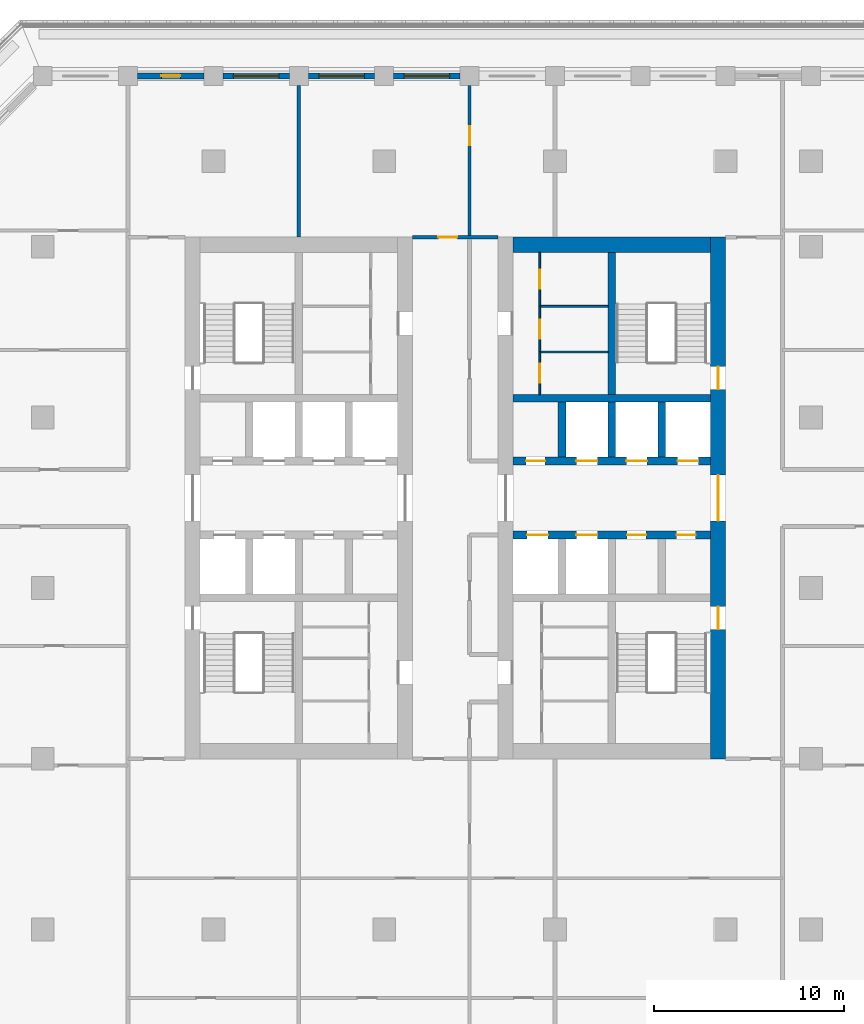
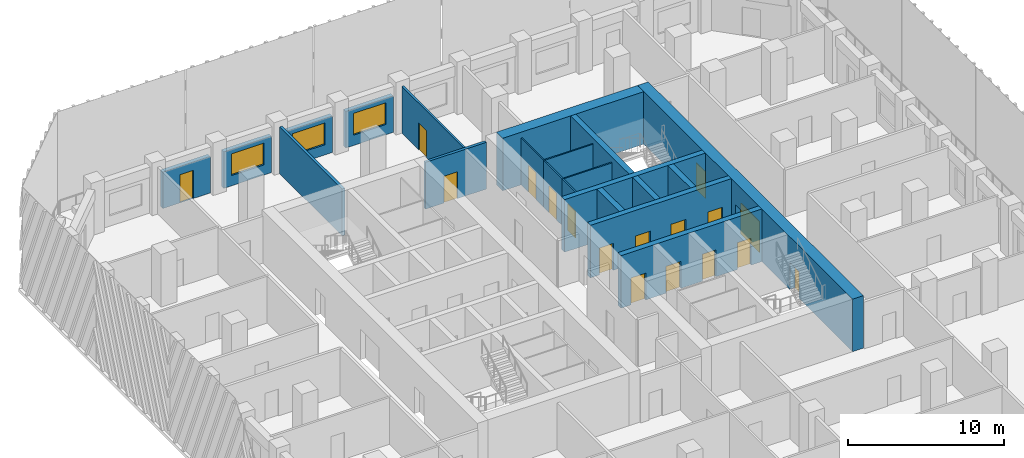
# One storey, part 7 of 17: 21 walls, 17 doors, 3 windows, 20 openings.
"""IFC4 building model written with IfcOpenShell, lengths in metres."""

from ifc_helpers import new_model, si_unit, direction, frame, frame_2d, origin, place, context, subcontext, project, spatial, rectangle, extrude, material, layer, layer_set, type_object, element, fill, save


model = new_model("IFC4")

# Units and contexts
model_context = context("Model", 3, precision=1e-05, world=origin(), true_north=direction((0.0, 1.0)))
body_context = subcontext(model_context, "Body", "Model", "MODEL_VIEW")
ifc_project = project(units=[si_unit("LENGTHUNIT", "METRE"), si_unit("AREAUNIT", "SQUARE_METRE"), si_unit("VOLUMEUNIT", "CUBIC_METRE"), si_unit("PLANEANGLEUNIT", "RADIAN"), si_unit("MASSUNIT", "GRAM", prefix="KILO")], contexts=[model_context])

# Site, building, storey
site_placement = place(None, origin())
site = spatial("IfcSite", under=ifc_project, at=site_placement, CompositionType="ELEMENT")
building_placement = place(site_placement, origin())
building = spatial("IfcBuilding", under=site, at=building_placement, Name="Corbel Stack Research Tower", CompositionType="ELEMENT")
storey_placement = place(building_placement, frame((0.0, 0.0, 207.89990234375)))
storey = spatial("IfcBuildingStorey", under=building, at=storey_placement, Name="L47", CompositionType="ELEMENT", Elevation=207.89990234375)

# Wall, openings, doors
ifc_material_1 = material(Name="Concrete C60/75", Category="concrete")
ifc_layer_1 = layer(ifc_material_1, 0.39990234375)
ifc_layer_set_1 = layer_set([ifc_layer_1], Name="Concrete C60/75")
wall_type_1 = type_object("IfcWallType", Name="CW-400-60", PredefinedType="SHEAR", material=ifc_layer_set_1)
wall_1_placement = place(storey_placement, frame((6.800048828125, 2.800048828125, 0.0), z_axis=(0.0, 0.0, 1.0), x_axis=(1.0, 0.0, 0.0)))
wall_1 = element("IfcWall", 1, at=wall_1_placement, inside=storey, type_object=wall_type_1, Name="East core wall, lobby south L47", PredefinedType="SHEAR", context=body_context, shape_type="SweptSolid", body=[
    extrude(rectangle(XDim=10.39990234375, YDim=0.39990234375, at=frame_2d((5.199951171875, 0.0))), origin(), (0.0, 0.0, 1.0), 4.10009765625),
])
opening_1_placement = place(wall_1_placement, frame((0.737548828125, 0.0, 0.0)))
opening_1 = element("IfcOpeningElement", 2, at=opening_1_placement, cuts=wall_1, Name="Opening LD-FS2", PredefinedType="OPENING", context=body_context, shape_type="SweptSolid", body=[
    extrude(rectangle(XDim=1.10009765625, YDim=2.10009765625, at=frame_2d((0.550048828125, 1.050048828125))), frame((0.0, 0.2099609375, 0.0), z_axis=(0.0, -1.0, 0.0), x_axis=(1.0, 0.0, 0.0)), (0.0, 0.0, 1.0), 0.419921875),
])
opening_2_placement = place(wall_1_placement, frame((3.33740234375, 0.0, 0.0)))
opening_2 = element("IfcOpeningElement", 3, at=opening_2_placement, cuts=wall_1, Name="Opening LD-GL2", PredefinedType="OPENING", context=body_context, shape_type="SweptSolid", body=[
    extrude(rectangle(XDim=1.10009765625, YDim=2.10009765625, at=frame_2d((0.550048828125, 1.050048828125))), frame((0.0, 0.2099609375, 0.0), z_axis=(0.0, -1.0, 0.0), x_axis=(1.0, 0.0, 0.0)), (0.0, 0.0, 1.0), 0.419921875),
])
opening_3_placement = place(wall_1_placement, frame((6.012451171875, 0.0, 0.0)))
opening_3 = element("IfcOpeningElement", 4, at=opening_3_placement, cuts=wall_1, Name="Opening CR-E42-S3", PredefinedType="OPENING", context=body_context, shape_type="SweptSolid", body=[
    extrude(rectangle(XDim=1.0, YDim=2.10009765625, at=frame_2d((0.5, 1.050048828125))), frame((0.0, 0.2099609375, 0.0), z_axis=(0.0, -1.0, 0.0), x_axis=(1.0, 0.0, 0.0)), (0.0, 0.0, 1.0), 0.419921875),
])
opening_4_placement = place(wall_1_placement, frame((8.612548828125, 0.0, 0.0)))
opening_4 = element("IfcOpeningElement", 5, at=opening_4_placement, cuts=wall_1, Name="Opening CR-E42-S4", PredefinedType="OPENING", context=body_context, shape_type="SweptSolid", body=[
    extrude(rectangle(XDim=1.0, YDim=2.10009765625, at=frame_2d((0.5, 1.050048828125))), frame((0.0, 0.2099609375, 0.0), z_axis=(0.0, -1.0, 0.0), x_axis=(1.0, 0.0, 0.0)), (0.0, 0.0, 1.0), 0.419921875),
])
ifc_material_2 = material(Name="Stainless steel landing door", Category="steel")
door_type_1 = type_object("IfcDoorType", Name="Lift landing door 1100 x 2100", OperationType="DOUBLE_DOOR_SLIDING", PredefinedType="DOOR", material=ifc_material_2)
door_1_placement = place(opening_1_placement, origin())
door_1 = element("IfcDoor", 6, at=door_1_placement, inside=storey, type_object=door_type_1, Name="Landing door FS2", OperationType="DOUBLE_DOOR_SLIDING", OverallHeight=2.10009765625, OverallWidth=1.10009765625, PredefinedType="DOOR", context=body_context, shape_type="SweptSolid", body=[
    extrude(rectangle(XDim=1.10009765625, YDim=2.10009765625, at=frame_2d((0.550048828125, 1.050048828125))), frame((0.0, 0.02490234375, 0.0), z_axis=(0.0, -1.0, 0.0), x_axis=(1.0, 0.0, 0.0)), (0.0, 0.0, 1.0), 0.050048828125),
])
fill(opening_1, door_1)
door_2_placement = place(opening_2_placement, origin())
door_2 = element("IfcDoor", 7, at=door_2_placement, inside=storey, type_object=door_type_1, Name="Landing door GL2", OperationType="DOUBLE_DOOR_SLIDING", OverallHeight=2.10009765625, OverallWidth=1.10009765625, PredefinedType="DOOR", context=body_context, shape_type="SweptSolid", body=[
    extrude(rectangle(XDim=1.10009765625, YDim=2.10009765625, at=frame_2d((0.550048828125, 1.050048828125))), frame((0.0, 0.02490234375, 0.0), z_axis=(0.0, -1.0, 0.0), x_axis=(1.0, 0.0, 0.0)), (0.0, 0.0, 1.0), 0.050048828125),
])
fill(opening_2, door_2)
ifc_material_3 = material(Name="Painted steel door", Category="steel")
door_type_2 = type_object("IfcDoorType", Name="Service door 1000 x 2100 FD60 left hand", OperationType="SINGLE_SWING_LEFT", PredefinedType="DOOR", material=ifc_material_3)
door_3_placement = place(opening_3_placement, origin())
door_3 = element("IfcDoor", 8, at=door_3_placement, inside=storey, type_object=door_type_2, Name="Electrical room door E core", OperationType="SINGLE_SWING_LEFT", OverallHeight=2.10009765625, OverallWidth=1.0, PredefinedType="DOOR", context=body_context, shape_type="SweptSolid", body=[
    extrude(rectangle(XDim=1.0, YDim=2.10009765625, at=frame_2d((0.5, 1.050048828125))), frame((0.0, 0.02490234375, 0.0), z_axis=(0.0, -1.0, 0.0), x_axis=(1.0, 0.0, 0.0)), (0.0, 0.0, 1.0), 0.050048828125),
])
fill(opening_3, door_3)
ifc_material_4 = material(Name="Painted steel door", Category="steel")
door_type_3 = type_object("IfcDoorType", Name="Service door 1000 x 2100 FD60 right hand", OperationType="SINGLE_SWING_RIGHT", PredefinedType="DOOR", material=ifc_material_4)
door_4_placement = place(opening_4_placement, origin())
door_4 = element("IfcDoor", 9, at=door_4_placement, inside=storey, type_object=door_type_3, Name="Pantry door E core", OperationType="SINGLE_SWING_RIGHT", OverallHeight=2.10009765625, OverallWidth=1.0, PredefinedType="DOOR", context=body_context, shape_type="SweptSolid", body=[
    extrude(rectangle(XDim=1.0, YDim=2.10009765625, at=frame_2d((0.5, 1.050048828125))), frame((0.0, 0.02490234375, 0.0), z_axis=(0.0, -1.0, 0.0), x_axis=(1.0, 0.0, 0.0)), (0.0, 0.0, 1.0), 0.050048828125),
])
fill(opening_4, door_4)

wall_2_placement = place(storey_placement, frame((6.800048828125, 6.699951171875, 0.0), z_axis=(0.0, 0.0, 1.0), x_axis=(1.0, 0.0, 0.0)))
wall_2 = element("IfcWall", 10, at=wall_2_placement, inside=storey, type_object=wall_type_1, Name="East core wall, lobby north L47", PredefinedType="SHEAR", context=body_context, shape_type="SweptSolid", body=[
    extrude(rectangle(XDim=10.39990234375, YDim=0.39990234375, at=frame_2d((5.199951171875, 0.0))), origin(), (0.0, 0.0, 1.0), 4.10009765625),
])
opening_5_placement = place(wall_2_placement, frame((3.33740234375, 0.0, 0.0)))
opening_5 = element("IfcOpeningElement", 11, at=opening_5_placement, cuts=wall_2, Name="Opening LD-HR4", PredefinedType="OPENING", context=body_context, shape_type="SweptSolid", body=[
    extrude(rectangle(XDim=1.10009765625, YDim=2.10009765625, at=frame_2d((0.550048828125, 1.050048828125))), frame((0.0, 0.2099609375, 0.0), z_axis=(0.0, -1.0, 0.0), x_axis=(1.0, 0.0, 0.0)), (0.0, 0.0, 1.0), 0.419921875),
])
opening_6_placement = place(wall_2_placement, frame((5.96240234375, 0.0, 0.0)))
opening_6 = element("IfcOpeningElement", 12, at=opening_6_placement, cuts=wall_2, Name="Opening LD-HR5", PredefinedType="OPENING", context=body_context, shape_type="SweptSolid", body=[
    extrude(rectangle(XDim=1.10009765625, YDim=2.10009765625, at=frame_2d((0.550048828125, 1.050048828125))), frame((0.0, 0.2099609375, 0.0), z_axis=(0.0, -1.0, 0.0), x_axis=(1.0, 0.0, 0.0)), (0.0, 0.0, 1.0), 0.419921875),
])
opening_7_placement = place(wall_2_placement, frame((8.66259765625, 0.0, 0.0)))
opening_7 = element("IfcOpeningElement", 13, at=opening_7_placement, cuts=wall_2, Name="Opening LD-HR6", PredefinedType="OPENING", context=body_context, shape_type="SweptSolid", body=[
    extrude(rectangle(XDim=1.10009765625, YDim=2.10009765625, at=frame_2d((0.550048828125, 1.050048828125))), frame((0.0, 0.2099609375, 0.0), z_axis=(0.0, -1.0, 0.0), x_axis=(1.0, 0.0, 0.0)), (0.0, 0.0, 1.0), 0.419921875),
])
opening_8_placement = place(wall_2_placement, frame((0.6875, 0.0, 0.0)))
opening_8 = element("IfcOpeningElement", 14, at=opening_8_placement, cuts=wall_2, Name="Opening CR-E42-N1", PredefinedType="OPENING", context=body_context, shape_type="SweptSolid", body=[
    extrude(rectangle(XDim=1.0, YDim=2.10009765625, at=frame_2d((0.5, 1.050048828125))), frame((0.0, 0.2099609375, 0.0), z_axis=(0.0, -1.0, 0.0), x_axis=(1.0, 0.0, 0.0)), (0.0, 0.0, 1.0), 0.419921875),
])
door_5_placement = place(opening_5_placement, origin())
door_5 = element("IfcDoor", 15, at=door_5_placement, inside=storey, type_object=door_type_1, Name="Landing door HR4", OperationType="DOUBLE_DOOR_SLIDING", OverallHeight=2.10009765625, OverallWidth=1.10009765625, PredefinedType="DOOR", context=body_context, shape_type="SweptSolid", body=[
    extrude(rectangle(XDim=1.10009765625, YDim=2.10009765625, at=frame_2d((0.550048828125, 1.050048828125))), frame((0.0, 0.02490234375, 0.0), z_axis=(0.0, -1.0, 0.0), x_axis=(1.0, 0.0, 0.0)), (0.0, 0.0, 1.0), 0.050048828125),
])
fill(opening_5, door_5)
door_6_placement = place(opening_6_placement, origin())
door_6 = element("IfcDoor", 16, at=door_6_placement, inside=storey, type_object=door_type_1, Name="Landing door HR5", OperationType="DOUBLE_DOOR_SLIDING", OverallHeight=2.10009765625, OverallWidth=1.10009765625, PredefinedType="DOOR", context=body_context, shape_type="SweptSolid", body=[
    extrude(rectangle(XDim=1.10009765625, YDim=2.10009765625, at=frame_2d((0.550048828125, 1.050048828125))), frame((0.0, 0.02490234375, 0.0), z_axis=(0.0, -1.0, 0.0), x_axis=(1.0, 0.0, 0.0)), (0.0, 0.0, 1.0), 0.050048828125),
])
fill(opening_6, door_6)
door_7_placement = place(opening_7_placement, origin())
door_7 = element("IfcDoor", 17, at=door_7_placement, inside=storey, type_object=door_type_1, Name="Landing door HR6", OperationType="DOUBLE_DOOR_SLIDING", OverallHeight=2.10009765625, OverallWidth=1.10009765625, PredefinedType="DOOR", context=body_context, shape_type="SweptSolid", body=[
    extrude(rectangle(XDim=1.10009765625, YDim=2.10009765625, at=frame_2d((0.550048828125, 1.050048828125))), frame((0.0, 0.02490234375, 0.0), z_axis=(0.0, -1.0, 0.0), x_axis=(1.0, 0.0, 0.0)), (0.0, 0.0, 1.0), 0.050048828125),
])
fill(opening_7, door_7)
door_8_placement = place(opening_8_placement, origin())
door_8 = element("IfcDoor", 18, at=door_8_placement, inside=storey, type_object=door_type_2, Name="Staff WC door E core", OperationType="SINGLE_SWING_LEFT", OverallHeight=2.10009765625, OverallWidth=1.0, PredefinedType="DOOR", context=body_context, shape_type="SweptSolid", body=[
    extrude(rectangle(XDim=1.0, YDim=2.10009765625, at=frame_2d((0.5, 1.050048828125))), frame((0.0, 0.02490234375, 0.0), z_axis=(0.0, -1.0, 0.0), x_axis=(1.0, 0.0, 0.0)), (0.0, 0.0, 1.0), 0.050048828125),
])
fill(opening_8, door_8)

# Walls
wall_3_placement = place(storey_placement, frame((6.800048828125, 10.0, 0.0), z_axis=(0.0, 0.0, 1.0), x_axis=(1.0, 0.0, 0.0)))
element("IfcWall", 19, at=wall_3_placement, inside=storey, type_object=wall_type_1, Name="East core wall, north row back L47", PredefinedType="SHEAR", context=body_context, shape_type="SweptSolid", body=[
    extrude(rectangle(XDim=10.39990234375, YDim=0.39990234375, at=frame_2d((5.199951171875, 0.0))), origin(), (0.0, 0.0, 1.0), 4.10009765625),
])
for number, where, z_axis, x_axis, name in (
    (20, (9.375, 6.89990234375, 0.0), (0.0, 0.0, 1.0), (0.0, 1.0, 0.0), "East core wall, north shaft 1 L47"),
    (21, (12.0, 6.89990234375, 0.0), (0.0, 0.0, 1.0), (0.0, 1.0, 0.0), "East core wall, north shaft 2 L47"),
    (22, (14.625, 6.89990234375, 0.0), (0.0, 0.0, 1.0), (0.0, 1.0, 0.0), "East core wall, north shaft 3 L47"),
):
    element("IfcWall", number, at=place(storey_placement, frame(where, z_axis=z_axis, x_axis=x_axis)), inside=storey, type_object=wall_type_1, Name=name, PredefinedType="SHEAR", context=body_context, shape_type="SweptSolid", body=[
        extrude(rectangle(XDim=2.900146484375, YDim=0.39990234375, at=frame_2d((1.4501953125, 0.0))), origin(), (0.0, 0.0, 1.0), 4.10009765625),
    ])
wall_4_placement = place(storey_placement, frame((12.0, 10.199951171875, 0.0), z_axis=(0.0, 0.0, 1.0), x_axis=(0.0, 1.0, 0.0)))
element("IfcWall", 23, at=wall_4_placement, inside=storey, type_object=wall_type_1, Name="East core wall, north stair and riser L47", PredefinedType="SHEAR", context=body_context, shape_type="SweptSolid", body=[
    extrude(rectangle(XDim=7.5, YDim=0.39990234375, at=frame_2d((3.75, 0.0))), origin(), (0.0, 0.0, 1.0), 4.10009765625),
])

# Wall, openings, doors
ifc_material_5 = material(Name="Concrete C60/75", Category="concrete")
ifc_layer_2 = layer(ifc_material_5, 0.800048828125)
ifc_layer_set_2 = layer_set([ifc_layer_2], Name="Concrete C60/75")
wall_type_2 = type_object("IfcWallType", Name="CW-800-60", PredefinedType="SHEAR", material=ifc_layer_set_2)
wall_5_placement = place(storey_placement, frame((17.60009765625, -9.0, 0.0), z_axis=(0.0, 0.0, 1.0), x_axis=(0.0, 1.0, 0.0)))
wall_5 = element("IfcWall", 24, at=wall_5_placement, inside=storey, type_object=wall_type_2, Name="East core wall, east face L47", PredefinedType="SHEAR", context=body_context, shape_type="SweptSolid", body=[
    extrude(rectangle(XDim=27.5, YDim=0.800048828125, at=frame_2d((13.75, 0.0))), origin(), (0.0, 0.0, 1.0), 4.10009765625),
])
opening_9_placement = place(wall_5_placement, frame((12.550048828125, 0.0, 0.0)))
opening_9 = element("IfcOpeningElement", 25, at=opening_9_placement, cuts=wall_5, Name="Opening CD-E-E", PredefinedType="OPENING", context=body_context, shape_type="SweptSolid", body=[
    extrude(rectangle(XDim=2.39990234375, YDim=2.39990234375, at=frame_2d((1.199951171875, 1.199951171875))), frame((0.0, 0.409912109375, 0.0), z_axis=(0.0, -1.0, 0.0), x_axis=(1.0, 0.0, 0.0)), (0.0, 0.0, 1.0), 0.820068359375),
])
opening_10_placement = place(wall_5_placement, frame((6.824951171875, 0.0, 0.0)))
opening_10 = element("IfcOpeningElement", 26, at=opening_10_placement, cuts=wall_5, Name="Opening SD-ST-E1", PredefinedType="OPENING", context=body_context, shape_type="SweptSolid", body=[
    extrude(rectangle(XDim=1.199951171875, YDim=2.10009765625, at=frame_2d((0.60009765625, 1.050048828125))), frame((0.0, 0.409912109375, 0.0), z_axis=(0.0, -1.0, 0.0), x_axis=(1.0, 0.0, 0.0)), (0.0, 0.0, 1.0), 0.820068359375),
])
opening_11_placement = place(wall_5_placement, frame((19.47509765625, 0.0, 0.0)))
opening_11 = element("IfcOpeningElement", 27, at=opening_11_placement, cuts=wall_5, Name="Opening SD-ST-E2", PredefinedType="OPENING", context=body_context, shape_type="SweptSolid", body=[
    extrude(rectangle(XDim=1.199951171875, YDim=2.10009765625, at=frame_2d((0.60009765625, 1.050048828125))), frame((0.0, 0.409912109375, 0.0), z_axis=(0.0, -1.0, 0.0), x_axis=(1.0, 0.0, 0.0)), (0.0, 0.0, 1.0), 0.820068359375),
])
ifc_material_6 = material(Name="Painted steel fire door", Category="steel")
door_type_4 = type_object("IfcDoorType", Name="Lobby door pair 2400 x 2400 FD30S", OperationType="DOUBLE_DOOR_DOUBLE_SWING", PredefinedType="DOOR", material=ifc_material_6)
door_9_placement = place(opening_9_placement, origin())
door_9 = element("IfcDoor", 28, at=door_9_placement, inside=storey, type_object=door_type_4, Name="Lift lobby door E core E", OperationType="DOUBLE_DOOR_DOUBLE_SWING", OverallHeight=2.39990234375, OverallWidth=2.39990234375, PredefinedType="DOOR", context=body_context, shape_type="SweptSolid", body=[
    extrude(rectangle(XDim=2.39990234375, YDim=2.39990234375, at=frame_2d((1.199951171875, 1.199951171875))), frame((0.0, 0.02490234375, 0.0), z_axis=(0.0, -1.0, 0.0), x_axis=(1.0, 0.0, 0.0)), (0.0, 0.0, 1.0), 0.050048828125),
])
fill(opening_9, door_9)
ifc_material_7 = material(Name="Painted steel fire door", Category="steel")
door_type_5 = type_object("IfcDoorType", Name="Stair door 1200 x 2100 FD90 right hand", OperationType="SINGLE_SWING_RIGHT", PredefinedType="DOOR", material=ifc_material_7)
door_10_placement = place(opening_10_placement, frame((1.199951171875, 0.0, 0.0), z_axis=(0.0, 0.0, 1.0), x_axis=(-1.0, 0.0, 0.0)))
door_10 = element("IfcDoor", 29, at=door_10_placement, inside=storey, type_object=door_type_5, Name="Stair door ST-E1", OperationType="SINGLE_SWING_LEFT", OverallHeight=2.10009765625, OverallWidth=1.199951171875, PredefinedType="DOOR", context=body_context, shape_type="SweptSolid", body=[
    extrude(rectangle(XDim=1.199951171875, YDim=2.10009765625, at=frame_2d((0.60009765625, 1.050048828125))), frame((0.0, 0.02490234375, 0.0), z_axis=(0.0, -1.0, 0.0), x_axis=(1.0, 0.0, 0.0)), (0.0, 0.0, 1.0), 0.050048828125),
])
fill(opening_10, door_10)
door_11_placement = place(opening_11_placement, frame((1.199951171875, 0.0, 0.0), z_axis=(0.0, 0.0, 1.0), x_axis=(-1.0, 0.0, 0.0)))
door_11 = element("IfcDoor", 30, at=door_11_placement, inside=storey, type_object=door_type_5, Name="Stair door ST-E2", OperationType="SINGLE_SWING_LEFT", OverallHeight=2.10009765625, OverallWidth=1.199951171875, PredefinedType="DOOR", context=body_context, shape_type="SweptSolid", body=[
    extrude(rectangle(XDim=1.199951171875, YDim=2.10009765625, at=frame_2d((0.60009765625, 1.050048828125))), frame((0.0, 0.02490234375, 0.0), z_axis=(0.0, -1.0, 0.0), x_axis=(1.0, 0.0, 0.0)), (0.0, 0.0, 1.0), 0.050048828125),
])
fill(opening_11, door_11)

# Wall
wall_6_placement = place(storey_placement, frame((6.800048828125, 18.10009765625, 0.0), z_axis=(0.0, 0.0, 1.0), x_axis=(1.0, 0.0, 0.0)))
element("IfcWall", 31, at=wall_6_placement, inside=storey, type_object=wall_type_2, Name="East core wall, north end L47", PredefinedType="SHEAR", context=body_context, shape_type="SweptSolid", body=[
    extrude(rectangle(XDim=10.39990234375, YDim=0.800048828125, at=frame_2d((5.199951171875, 0.0))), origin(), (0.0, 0.0, 1.0), 4.10009765625),
])

# Wall, opening, door
ifc_material_8 = material(Name="Gypsum board")
ifc_layer_3 = layer(ifc_material_8, 0.10009765625)
ifc_layer_set_3 = layer_set([ifc_layer_3], Name="Gypsum board")
wall_type_3 = type_object("IfcWallType", Name="Core partition 100", PredefinedType="PARTITIONING", material=ifc_layer_set_3)
wall_7_placement = place(storey_placement, frame((8.199951171875, 10.199951171875, 0.0), z_axis=(0.0, 0.0, 1.0), x_axis=(0.0, 1.0, 0.0)))
wall_7 = element("IfcWall", 32, at=wall_7_placement, inside=storey, type_object=wall_type_3, Name="Core partition E", PredefinedType="PARTITIONING", context=body_context, shape_type="SweptSolid", body=[
    extrude(rectangle(XDim=2.25, YDim=0.10009765625, at=frame_2d((1.125, 0.0))), origin(), (0.0, 0.0, 1.0), 3.650146484375),
])
opening_12_placement = place(wall_7_placement, frame((0.625, 0.0, 0.0)))
opening_12 = element("IfcOpeningElement", 33, at=opening_12_placement, cuts=wall_7, Name="Opening CR-E42-R2-1000", PredefinedType="OPENING", context=body_context, shape_type="SweptSolid", body=[
    extrude(rectangle(XDim=1.0, YDim=2.10009765625, at=frame_2d((0.5, 1.050048828125))), frame((0.0, 0.06005859375, 0.0), z_axis=(0.0, -1.0, 0.0), x_axis=(1.0, 0.0, 0.0)), (0.0, 0.0, 1.0), 0.1201171875),
])
ifc_material_9 = material(Name="Painted steel door", Category="steel")
door_type_6 = type_object("IfcDoorType", Name="Riser door 1000 x 2100 FD60 left hand", OperationType="SINGLE_SWING_LEFT", PredefinedType="DOOR", material=ifc_material_9)
door_12_placement = place(opening_12_placement, origin())
door_12 = element("IfcDoor", 34, at=door_12_placement, inside=storey, type_object=door_type_6, Name="Mechanical riser door E core", OperationType="SINGLE_SWING_LEFT", OverallHeight=2.10009765625, OverallWidth=1.0, PredefinedType="DOOR", context=body_context, shape_type="SweptSolid", body=[
    extrude(rectangle(XDim=1.0, YDim=2.10009765625, at=frame_2d((0.5, 1.050048828125))), frame((0.0, 0.02490234375, 0.0), z_axis=(0.0, -1.0, 0.0), x_axis=(1.0, 0.0, 0.0)), (0.0, 0.0, 1.0), 0.050048828125),
])
fill(opening_12, door_12)

wall_8_placement = place(storey_placement, frame((8.199951171875, 12.449951171875, 0.0), z_axis=(0.0, 0.0, 1.0), x_axis=(0.0, 1.0, 0.0)))
wall_8 = element("IfcWall", 35, at=wall_8_placement, inside=storey, type_object=wall_type_3, Name="Core partition E", PredefinedType="PARTITIONING", context=body_context, shape_type="SweptSolid", body=[
    extrude(rectangle(XDim=2.400146484375, YDim=0.10009765625, at=frame_2d((1.2001953125, 0.0))), origin(), (0.0, 0.0, 1.0), 3.650146484375),
])
opening_13_placement = place(wall_8_placement, frame((0.699951171875, 0.0, 0.0)))
opening_13 = element("IfcOpeningElement", 36, at=opening_13_placement, cuts=wall_8, Name="Opening CR-E42-R3-1000", PredefinedType="OPENING", context=body_context, shape_type="SweptSolid", body=[
    extrude(rectangle(XDim=1.0, YDim=2.10009765625, at=frame_2d((0.5, 1.050048828125))), frame((0.0, 0.06005859375, 0.0), z_axis=(0.0, -1.0, 0.0), x_axis=(1.0, 0.0, 0.0)), (0.0, 0.0, 1.0), 0.1201171875),
])
ifc_material_10 = material(Name="Painted steel door", Category="steel")
door_type_7 = type_object("IfcDoorType", Name="Service door 1000 x 2100 FD30 right hand", OperationType="SINGLE_SWING_RIGHT", PredefinedType="DOOR", material=ifc_material_10)
door_13_placement = place(opening_13_placement, origin())
door_13 = element("IfcDoor", 37, at=door_13_placement, inside=storey, type_object=door_type_7, Name="Pantry door E core", OperationType="SINGLE_SWING_RIGHT", OverallHeight=2.10009765625, OverallWidth=1.0, PredefinedType="DOOR", context=body_context, shape_type="SweptSolid", body=[
    extrude(rectangle(XDim=1.0, YDim=2.10009765625, at=frame_2d((0.5, 1.050048828125))), frame((0.0, 0.02490234375, 0.0), z_axis=(0.0, -1.0, 0.0), x_axis=(1.0, 0.0, 0.0)), (0.0, 0.0, 1.0), 0.050048828125),
])
fill(opening_13, door_13)

wall_9_placement = place(storey_placement, frame((8.199951171875, 14.85009765625, 0.0), z_axis=(0.0, 0.0, 1.0), x_axis=(0.0, 1.0, 0.0)))
wall_9 = element("IfcWall", 38, at=wall_9_placement, inside=storey, type_object=wall_type_3, Name="Core partition E", PredefinedType="PARTITIONING", context=body_context, shape_type="SweptSolid", body=[
    extrude(rectangle(XDim=2.849853515625, YDim=0.10009765625, at=frame_2d((1.4248046875, 0.0))), origin(), (0.0, 0.0, 1.0), 3.650146484375),
])
opening_14_placement = place(wall_9_placement, frame((0.925048828125, 0.0, 0.0)))
opening_14 = element("IfcOpeningElement", 39, at=opening_14_placement, cuts=wall_9, Name="Opening CR-E42-R4-1000", PredefinedType="OPENING", context=body_context, shape_type="SweptSolid", body=[
    extrude(rectangle(XDim=1.0, YDim=2.10009765625, at=frame_2d((0.5, 1.050048828125))), frame((0.0, 0.06005859375, 0.0), z_axis=(0.0, -1.0, 0.0), x_axis=(1.0, 0.0, 0.0)), (0.0, 0.0, 1.0), 0.1201171875),
])
door_14_placement = place(opening_14_placement, origin())
door_14 = element("IfcDoor", 40, at=door_14_placement, inside=storey, type_object=door_type_6, Name="Electrical riser door E core", OperationType="SINGLE_SWING_LEFT", OverallHeight=2.10009765625, OverallWidth=1.0, PredefinedType="DOOR", context=body_context, shape_type="SweptSolid", body=[
    extrude(rectangle(XDim=1.0, YDim=2.10009765625, at=frame_2d((0.5, 1.050048828125))), frame((0.0, 0.02490234375, 0.0), z_axis=(0.0, -1.0, 0.0), x_axis=(1.0, 0.0, 0.0)), (0.0, 0.0, 1.0), 0.050048828125),
])
fill(opening_14, door_14)

# Walls
for number, where, z_axis, x_axis, name in (
    (41, (8.199951171875, 12.449951171875, 0.0), (0.0, 0.0, 1.0), (1.0, 0.0, 0.0), "Core partition E"),
    (42, (8.199951171875, 14.85009765625, 0.0), (0.0, 0.0, 1.0), (1.0, 0.0, 0.0), "Core partition E"),
):
    element("IfcWall", number, at=place(storey_placement, frame(where, z_axis=z_axis, x_axis=x_axis)), inside=storey, type_object=wall_type_3, Name=name, PredefinedType="PARTITIONING", context=body_context, shape_type="SweptSolid", body=[
        extrude(rectangle(XDim=3.60009765625, YDim=0.10009765625, at=frame_2d((1.800048828125, 0.0))), origin(), (0.0, 0.0, 1.0), 3.650146484375),
    ])

# Wall, opening, door
ifc_material_11 = material(Name="Fire-rated gypsum board partition on steel studs", Category="steel")
ifc_layer_4 = layer(ifc_material_11, 0.14990234375)
ifc_layer_set_4 = layer_set([ifc_layer_4], Name="Fire-rated gypsum board partition on steel studs")
wall_type_4 = type_object("IfcWallType", Name="Fire-rated partition 150 EI 60", PredefinedType="PARTITIONING", material=ifc_layer_set_4)
wall_10_placement = place(storey_placement, frame((4.5, 26.5, 0.0), z_axis=(0.0, 0.0, 1.0), x_axis=(0.0, -1.0, 0.0)))
wall_10 = element("IfcWall", 43, at=wall_10_placement, inside=storey, type_object=wall_type_4, Name="Partition L47-006", PredefinedType="PARTITIONING", context=body_context, shape_type="SweptSolid", body=[
    extrude(rectangle(XDim=8.0, YDim=0.14990234375, at=frame_2d((4.0, 0.0))), origin(), (0.0, 0.0, 1.0), 3.650146484375),
])
opening_15_placement = place(wall_10_placement, frame((2.14990234375, 0.0, 0.0)))
opening_15 = element("IfcOpeningElement", 44, at=opening_15_placement, cuts=wall_10, Name="Opening B6V1-022", PredefinedType="OPENING", context=body_context, shape_type="SweptSolid", body=[
    extrude(rectangle(XDim=1.0, YDim=2.10009765625, at=frame_2d((0.5, 1.050048828125))), frame((0.0, 0.0849609375, 0.0), z_axis=(0.0, -1.0, 0.0), x_axis=(1.0, 0.0, 0.0)), (0.0, 0.0, 1.0), 0.169921875),
])
ifc_material_12 = material(Name="Painted steel fire door", Category="steel")
door_type_8 = type_object("IfcDoorType", Name="Fire door FD30S 1000 x 2100", OperationType="NOTDEFINED", PredefinedType="DOOR", material=ifc_material_12)
door_15_placement = place(opening_15_placement, origin())
door_15 = element("IfcDoor", 45, at=door_15_placement, inside=storey, type_object=door_type_8, Name="Door B6V1-022", OperationType="SINGLE_SWING_LEFT", OverallHeight=2.10009765625, OverallWidth=1.0, PredefinedType="DOOR", context=body_context, shape_type="SweptSolid", body=[
    extrude(rectangle(XDim=1.0, YDim=2.10009765625, at=frame_2d((0.5, 1.050048828125))), frame((0.0, 0.02490234375, 0.0), z_axis=(0.0, -1.0, 0.0), x_axis=(1.0, 0.0, 0.0)), (0.0, 0.0, 1.0), 0.050048828125),
])
fill(opening_15, door_15)

# Wall
ifc_material_13 = material(Name="Fire-rated gypsum board partition on steel studs", Category="steel")
ifc_layer_5 = layer(ifc_material_13, 0.199951171875)
ifc_layer_set_5 = layer_set([ifc_layer_5], Name="Fire-rated gypsum board partition on steel studs")
wall_type_5 = type_object("IfcWallType", Name="Fire-rated partition 200 EI 60", PredefinedType="PARTITIONING", material=ifc_layer_set_5)
wall_11_placement = place(storey_placement, frame((-4.5, 18.5, 0.0), z_axis=(0.0, 0.0, 1.0), x_axis=(0.0, 1.0, 0.0)))
element("IfcWall", 46, at=wall_11_placement, inside=storey, type_object=wall_type_5, Name="Partition L47-004", PredefinedType="PARTITIONING", context=body_context, shape_type="SweptSolid", body=[
    extrude(rectangle(XDim=8.0, YDim=0.199951171875, at=frame_2d((4.0, 0.0))), origin(), (0.0, 0.0, 1.0), 3.650146484375),
])

# Wall, opening, door
wall_12_placement = place(storey_placement, frame((1.5, 18.5, 0.0), z_axis=(0.0, 0.0, 1.0), x_axis=(1.0, 0.0, 0.0)))
wall_12 = element("IfcWall", 47, at=wall_12_placement, inside=storey, type_object=wall_type_5, Name="Partition L47-039", PredefinedType="PARTITIONING", context=body_context, shape_type="SweptSolid", body=[
    extrude(rectangle(XDim=4.5, YDim=0.199951171875, at=frame_2d((2.25, 0.0))), origin(), (0.0, 0.0, 1.0), 3.650146484375),
])
opening_16_placement = place(wall_12_placement, frame((1.35009765625, 0.0, 0.0)))
opening_16 = element("IfcOpeningElement", 48, at=opening_16_placement, cuts=wall_12, Name="Opening B6V1-028", PredefinedType="OPENING", context=body_context, shape_type="SweptSolid", body=[
    extrude(rectangle(XDim=1.0, YDim=2.10009765625, at=frame_2d((0.5, 1.050048828125))), frame((0.0, 0.10986328125, 0.0), z_axis=(0.0, -1.0, 0.0), x_axis=(1.0, 0.0, 0.0)), (0.0, 0.0, 1.0), 0.219970703125),
])
door_16_placement = place(opening_16_placement, origin())
door_16 = element("IfcDoor", 49, at=door_16_placement, inside=storey, type_object=door_type_8, Name="Door B6V1-028", OperationType="SINGLE_SWING_LEFT", OverallHeight=2.10009765625, OverallWidth=1.0, PredefinedType="DOOR", context=body_context, shape_type="SweptSolid", body=[
    extrude(rectangle(XDim=1.0, YDim=2.10009765625, at=frame_2d((0.5, 1.050048828125))), frame((0.0, 0.02490234375, 0.0), z_axis=(0.0, -1.0, 0.0), x_axis=(1.0, 0.0, 0.0)), (0.0, 0.0, 1.0), 0.050048828125),
])
fill(opening_16, door_16)

# Wall, opening, window
ifc_material_14 = material(Name="Concrete C45/55", Category="concrete")
ifc_layer_6 = layer(ifc_material_14, 0.300048828125)
ifc_layer_set_6 = layer_set([ifc_layer_6], Name="Concrete C45/55")
wall_type_6 = type_object("IfcWallType", Name="Terracotta-faced concrete wall 300", PredefinedType="SOLIDWALL", material=ifc_layer_set_6)
wall_13_placement = place(storey_placement, frame((0.5, 27.0, 0.0), z_axis=(0.0, 0.0, 1.0), x_axis=(1.0, 0.0, 0.0)))
wall_13 = element("IfcWall", 50, at=wall_13_placement, inside=storey, type_object=wall_type_6, Name="Facade wall L47 N06", PredefinedType="SOLIDWALL", context=body_context, shape_type="SweptSolid", body=[
    extrude(rectangle(XDim=3.5, YDim=0.300048828125, at=frame_2d((1.75, 0.0))), origin(), (0.0, 0.0, 1.0), 2.85009765625),
])
opening_17_placement = place(wall_13_placement, frame((0.550048828125, 0.0, 0.800048828125)))
opening_17 = element("IfcOpeningElement", 51, at=opening_17_placement, cuts=wall_13, Name="Opening W1", PredefinedType="OPENING", context=body_context, shape_type="SweptSolid", body=[
    extrude(rectangle(XDim=2.39990234375, YDim=1.699951171875, at=frame_2d((1.199951171875, 0.85009765625))), frame((0.0, 0.159912109375, 0.0), z_axis=(0.0, -1.0, 0.0), x_axis=(1.0, 0.0, 0.0)), (0.0, 0.0, 1.0), 0.320068359375),
])
ifc_material_15 = material(Name="Aluminium frame, clear double glazing", Category="aluminium")
window_type = type_object("IfcWindowType", Name="Window W1 2400 x 1700", PartitioningType="SINGLE_PANEL", PredefinedType="WINDOW", material=ifc_material_15)
window_1_placement = place(opening_17_placement, origin())
window_1 = element("IfcWindow", 52, at=window_1_placement, inside=storey, type_object=window_type, Name="Window W1 L47 N06", OverallHeight=1.699951171875, OverallWidth=2.39990234375, PartitioningType="SINGLE_PANEL", PredefinedType="WINDOW", context=body_context, shape_type="SweptSolid", body=[
    extrude(rectangle(XDim=2.39990234375, YDim=1.699951171875, at=frame_2d((1.199951171875, 0.85009765625))), frame((0.0, 0.030029296875, 0.0), z_axis=(0.0, -1.0, 0.0), x_axis=(1.0, 0.0, 0.0)), (0.0, 0.0, 1.0), 0.06005859375),
])
fill(opening_17, window_1)

wall_14_placement = place(storey_placement, frame((-4.0, 27.0, 0.0), z_axis=(0.0, 0.0, 1.0), x_axis=(1.0, 0.0, 0.0)))
wall_14 = element("IfcWall", 53, at=wall_14_placement, inside=storey, type_object=wall_type_6, Name="Facade wall L47 N07", PredefinedType="SOLIDWALL", context=body_context, shape_type="SweptSolid", body=[
    extrude(rectangle(XDim=3.5, YDim=0.300048828125, at=frame_2d((1.75, 0.0))), origin(), (0.0, 0.0, 1.0), 2.85009765625),
])
opening_18_placement = place(wall_14_placement, frame((0.550048828125, 0.0, 0.800048828125)))
opening_18 = element("IfcOpeningElement", 54, at=opening_18_placement, cuts=wall_14, Name="Opening W1", PredefinedType="OPENING", context=body_context, shape_type="SweptSolid", body=[
    extrude(rectangle(XDim=2.39990234375, YDim=1.699951171875, at=frame_2d((1.199951171875, 0.85009765625))), frame((0.0, 0.159912109375, 0.0), z_axis=(0.0, -1.0, 0.0), x_axis=(1.0, 0.0, 0.0)), (0.0, 0.0, 1.0), 0.320068359375),
])
window_2_placement = place(opening_18_placement, origin())
window_2 = element("IfcWindow", 55, at=window_2_placement, inside=storey, type_object=window_type, Name="Window W1 L47 N07", OverallHeight=1.699951171875, OverallWidth=2.39990234375, PartitioningType="SINGLE_PANEL", PredefinedType="WINDOW", context=body_context, shape_type="SweptSolid", body=[
    extrude(rectangle(XDim=2.39990234375, YDim=1.699951171875, at=frame_2d((1.199951171875, 0.85009765625))), frame((0.0, 0.030029296875, 0.0), z_axis=(0.0, -1.0, 0.0), x_axis=(1.0, 0.0, 0.0)), (0.0, 0.0, 1.0), 0.06005859375),
])
fill(opening_18, window_2)

wall_15_placement = place(storey_placement, frame((-8.5, 27.0, 0.0), z_axis=(0.0, 0.0, 1.0), x_axis=(1.0, 0.0, 0.0)))
wall_15 = element("IfcWall", 56, at=wall_15_placement, inside=storey, type_object=wall_type_6, Name="Facade wall L47 N08", PredefinedType="SOLIDWALL", context=body_context, shape_type="SweptSolid", body=[
    extrude(rectangle(XDim=3.5, YDim=0.300048828125, at=frame_2d((1.75, 0.0))), origin(), (0.0, 0.0, 1.0), 2.85009765625),
])
opening_19_placement = place(wall_15_placement, frame((0.550048828125, 0.0, 0.800048828125)))
opening_19 = element("IfcOpeningElement", 57, at=opening_19_placement, cuts=wall_15, Name="Opening W1", PredefinedType="OPENING", context=body_context, shape_type="SweptSolid", body=[
    extrude(rectangle(XDim=2.39990234375, YDim=1.699951171875, at=frame_2d((1.199951171875, 0.85009765625))), frame((0.0, 0.159912109375, 0.0), z_axis=(0.0, -1.0, 0.0), x_axis=(1.0, 0.0, 0.0)), (0.0, 0.0, 1.0), 0.320068359375),
])
window_3_placement = place(opening_19_placement, origin())
window_3 = element("IfcWindow", 58, at=window_3_placement, inside=storey, type_object=window_type, Name="Window W1 L47 N08", OverallHeight=1.699951171875, OverallWidth=2.39990234375, PartitioningType="SINGLE_PANEL", PredefinedType="WINDOW", context=body_context, shape_type="SweptSolid", body=[
    extrude(rectangle(XDim=2.39990234375, YDim=1.699951171875, at=frame_2d((1.199951171875, 0.85009765625))), frame((0.0, 0.030029296875, 0.0), z_axis=(0.0, -1.0, 0.0), x_axis=(1.0, 0.0, 0.0)), (0.0, 0.0, 1.0), 0.06005859375),
])
fill(opening_19, window_3)

# Wall, opening, door
wall_16_placement = place(storey_placement, frame((-13.0, 27.0, 0.0), z_axis=(0.0, 0.0, 1.0), x_axis=(1.0, 0.0, 0.0)))
wall_16 = element("IfcWall", 59, at=wall_16_placement, inside=storey, type_object=wall_type_6, Name="Facade wall L47 N09", PredefinedType="SOLIDWALL", context=body_context, shape_type="SweptSolid", body=[
    extrude(rectangle(XDim=3.5, YDim=0.300048828125, at=frame_2d((1.75, 0.0))), origin(), (0.0, 0.0, 1.0), 2.85009765625),
])
opening_20_placement = place(wall_16_placement, frame((1.25, 0.0, 0.0)))
opening_20 = element("IfcOpeningElement", 60, at=opening_20_placement, cuts=wall_16, Name="Opening L47-B08", PredefinedType="OPENING", context=body_context, shape_type="SweptSolid", body=[
    extrude(rectangle(XDim=1.0, YDim=2.199951171875, at=frame_2d((0.5, 1.10009765625))), frame((0.0, 0.159912109375, 0.0), z_axis=(0.0, -1.0, 0.0), x_axis=(1.0, 0.0, 0.0)), (0.0, 0.0, 1.0), 0.320068359375),
])
ifc_material_16 = material(Name="Aluminium frame, clear double glazing", Category="aluminium")
door_type_9 = type_object("IfcDoorType", Name="Balcony door BD1 1000 x 2200", OperationType="NOTDEFINED", PredefinedType="DOOR", material=ifc_material_16)
door_17_placement = place(opening_20_placement, origin())
door_17 = element("IfcDoor", 61, at=door_17_placement, inside=storey, type_object=door_type_9, Name="Balcony door L47-B08", OperationType="SINGLE_SWING_RIGHT", OverallHeight=2.199951171875, OverallWidth=1.0, PredefinedType="DOOR", context=body_context, shape_type="SweptSolid", body=[
    extrude(rectangle(XDim=1.0, YDim=2.199951171875, at=frame_2d((0.5, 1.10009765625))), frame((0.0, 0.02490234375, 0.0), z_axis=(0.0, -1.0, 0.0), x_axis=(1.0, 0.0, 0.0)), (0.0, 0.0, 1.0), 0.050048828125),
])
fill(opening_20, door_17)

save(model, "model.ifc")
